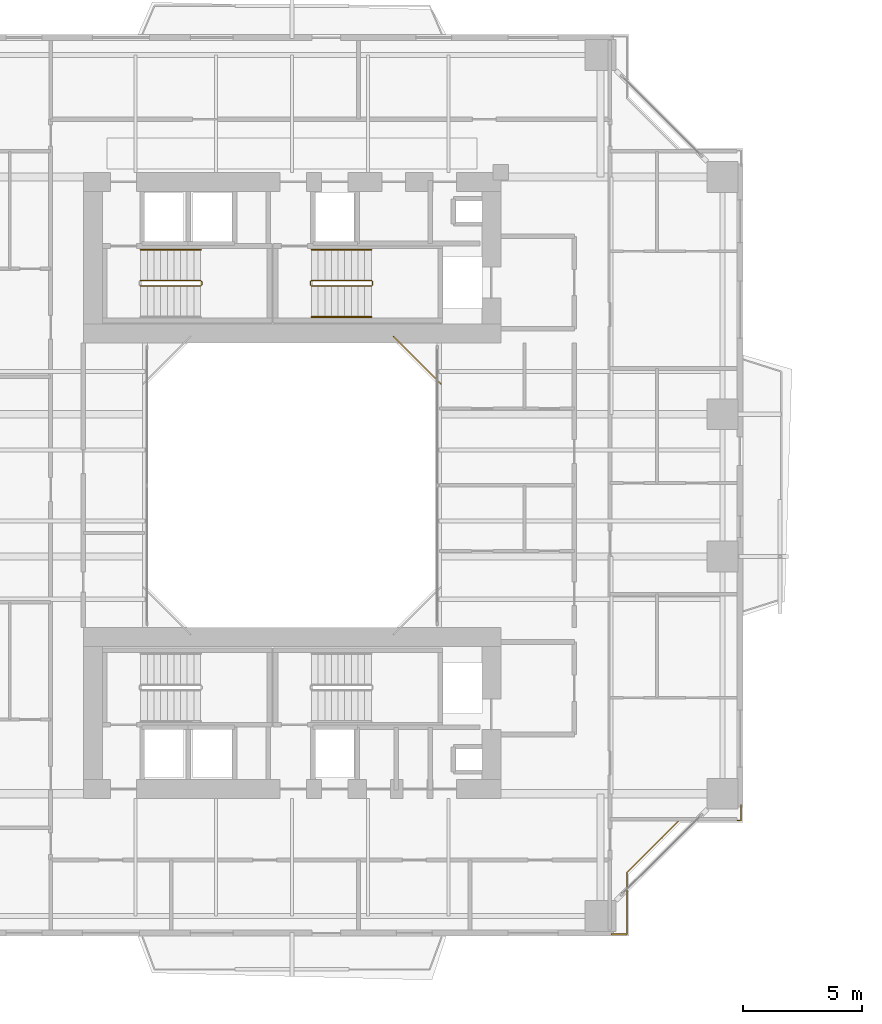
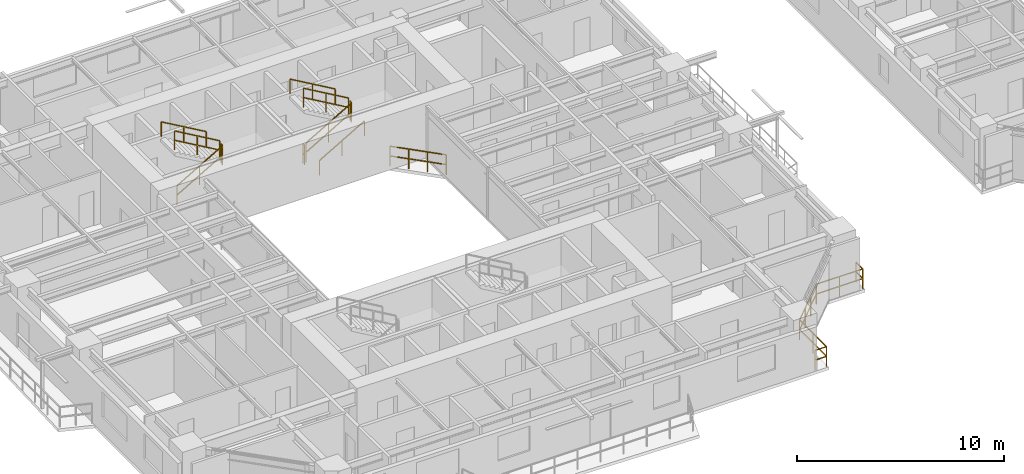
# One storey, part 21 of 24: 12 railings.
"""IFC4 building model written with IfcOpenShell, lengths in metres."""

from ifc_helpers import new_model, si_unit, direction, frame, origin, origin_2d, place, context, subcontext, project, spatial, rectangle, extrude, material, type_object, element, save


model = new_model("IFC4")

# Units and contexts
model_context = context("Model", 3, precision=1e-05, world=origin(), true_north=direction((0.0, 1.0)))
body_context = subcontext(model_context, "Body", "Model", "MODEL_VIEW")
ifc_project = project(units=[si_unit("LENGTHUNIT", "METRE"), si_unit("AREAUNIT", "SQUARE_METRE"), si_unit("VOLUMEUNIT", "CUBIC_METRE"), si_unit("PLANEANGLEUNIT", "RADIAN"), si_unit("MASSUNIT", "GRAM", prefix="KILO"), si_unit("THERMODYNAMICTEMPERATUREUNIT", "KELVIN"), si_unit("POWERUNIT", "WATT")], contexts=[model_context])

# Site, building, storey
site_placement = place(None, origin())
site = spatial("IfcSite", under=ifc_project, at=site_placement, CompositionType="ELEMENT")
building_placement = place(site_placement, origin())
building = spatial("IfcBuilding", under=site, at=building_placement, Name="Qiaomeng Ring Towers", CompositionType="ELEMENT")
storey_placement = place(building_placement, frame((0.0, 0.0, 56.75)))
storey = spatial("IfcBuildingStorey", under=building, at=storey_placement, Name="L15", CompositionType="ELEMENT", Elevation=56.75)

# Railings
ifc_material_1 = material(Name="Low-E pale-green laminated safety glass", Category="glass")
railing_type_1 = type_object("IfcRailingType", Name="ARC-RL-BAL1", PredefinedType="BALUSTRADE", material=ifc_material_1)
railing_1_placement = place(storey_placement, frame((25.280029296875, 27.280029296875, 0.0)))
element("IfcRailing", 1, at=railing_1_placement, inside=storey, type_object=railing_type_1, Name="L15 Balustrade ARC-BAL-WELL1-L15-2", PredefinedType="BALUSTRADE", context=body_context, shape_type="SweptSolid", body=[
    extrude(rectangle(XDim=0.048095703125, YDim=0.048095703125, at=origin_2d()), frame((0.0, 0.0, 1.17578125), z_axis=(-0.707106781187, 0.707106781187, 0.0), x_axis=(-0.707106781187, -0.707106781187, 0.0)), (0.0, 0.0, 1.0), 2.828369140625),
    extrude(rectangle(XDim=0.048095703125, YDim=0.048095703125, at=origin_2d()), frame((0.0, 0.0, 0.60009765625), z_axis=(-0.707106781187, 0.707106781187, 0.0), x_axis=(-0.707106781187, -0.707106781187, 0.0)), (0.0, 0.0, 1.0), 2.828369140625),
    extrude(rectangle(XDim=0.0419921875, YDim=0.0419921875, at=origin_2d()), origin(), (0.0, 0.0, 1.0), 1.15185546875),
    extrude(rectangle(XDim=0.0419921875, YDim=0.0419921875, at=origin_2d()), frame((-0.666748046875, 0.666748046875, 0.0)), (0.0, 0.0, 1.0), 1.15185546875),
    extrude(rectangle(XDim=0.0419921875, YDim=0.0419921875, at=origin_2d()), frame((-1.333251953125, 1.333251953125, 0.0)), (0.0, 0.0, 1.0), 1.15185546875),
    extrude(rectangle(XDim=0.0419921875, YDim=0.0419921875, at=origin_2d()), frame((-2.0, 2.0, 0.0)), (0.0, 0.0, 1.0), 1.15185546875),
])
railing_2_placement = place(storey_placement, frame((32.469970703125, 4.080078125, 0.0)))
element("IfcRailing", 2, at=railing_2_placement, inside=storey, type_object=railing_type_1, Name="L15 Balustrade ARC-BAL-NOTCH1-L15-SE", PredefinedType="BALUSTRADE", context=body_context, shape_type="SweptSolid", body=[
    extrude(rectangle(XDim=0.048095703125, YDim=0.048095703125, at=origin_2d()), frame((0.0, 0.0, 1.17578125), z_axis=(1.0, 0.0, 0.0), x_axis=(0.0, 1.0, 0.0)), (0.0, 0.0, 1.0), 0.650146484375),
    extrude(rectangle(XDim=0.048095703125, YDim=0.048095703125, at=origin_2d()), frame((0.0, 0.0, 0.60009765625), z_axis=(1.0, 0.0, 0.0), x_axis=(0.0, 1.0, 0.0)), (0.0, 0.0, 1.0), 0.650146484375),
    extrude(rectangle(XDim=0.048095703125, YDim=0.048095703125, at=origin_2d()), frame((0.650146484375, 0.0, 1.17578125), z_axis=(0.0, 1.0, 0.0), x_axis=(-1.0, 0.0, 0.0)), (0.0, 0.0, 1.0), 2.599853515625),
    extrude(rectangle(XDim=0.048095703125, YDim=0.048095703125, at=origin_2d()), frame((0.650146484375, 0.0, 0.60009765625), z_axis=(0.0, 1.0, 0.0), x_axis=(-1.0, 0.0, 0.0)), (0.0, 0.0, 1.0), 2.599853515625),
    extrude(rectangle(XDim=0.048095703125, YDim=0.048095703125, at=origin_2d()), frame((0.650146484375, 2.599853515625, 1.17578125), z_axis=(0.707106781187, 0.707106781187, 0.0), x_axis=(-0.707106781187, 0.707106781187, 0.0)), (0.0, 0.0, 1.0), 3.111083984375),
    extrude(rectangle(XDim=0.048095703125, YDim=0.048095703125, at=origin_2d()), frame((0.650146484375, 2.599853515625, 0.60009765625), z_axis=(0.707106781187, 0.707106781187, 0.0), x_axis=(-0.707106781187, 0.707106781187, 0.0)), (0.0, 0.0, 1.0), 3.111083984375),
    extrude(rectangle(XDim=0.048095703125, YDim=0.048095703125, at=origin_2d()), frame((2.85009765625, 4.7998046875, 1.17578125), z_axis=(1.0, 0.0, 0.0), x_axis=(0.0, 1.0, 0.0)), (0.0, 0.0, 1.0), 2.599853515625),
    extrude(rectangle(XDim=0.048095703125, YDim=0.048095703125, at=origin_2d()), frame((2.85009765625, 4.7998046875, 0.60009765625), z_axis=(1.0, 0.0, 0.0), x_axis=(0.0, 1.0, 0.0)), (0.0, 0.0, 1.0), 2.599853515625),
    extrude(rectangle(XDim=0.048095703125, YDim=0.048095703125, at=origin_2d()), frame((5.449951171875, 4.7998046875, 1.17578125), z_axis=(0.0, 1.0, 0.0), x_axis=(-1.0, 0.0, 0.0)), (0.0, 0.0, 1.0), 0.650146484375),
    extrude(rectangle(XDim=0.048095703125, YDim=0.048095703125, at=origin_2d()), frame((5.449951171875, 4.7998046875, 0.60009765625), z_axis=(0.0, 1.0, 0.0), x_axis=(-1.0, 0.0, 0.0)), (0.0, 0.0, 1.0), 0.650146484375),
    extrude(rectangle(XDim=0.0419921875, YDim=0.0419921875, at=origin_2d()), origin(), (0.0, 0.0, 1.0), 1.15185546875),
    extrude(rectangle(XDim=0.0419921875, YDim=0.0419921875, at=origin_2d()), frame((0.650146484375, 0.0, 0.0)), (0.0, 0.0, 1.0), 1.15185546875),
    extrude(rectangle(XDim=0.0419921875, YDim=0.0419921875, at=origin_2d()), frame((0.650146484375, 1.2998046875, 0.0)), (0.0, 0.0, 1.0), 1.15185546875),
    extrude(rectangle(XDim=0.0419921875, YDim=0.0419921875, at=origin_2d()), frame((0.650146484375, 2.599853515625, 0.0)), (0.0, 0.0, 1.0), 1.15185546875),
    extrude(rectangle(XDim=0.0419921875, YDim=0.0419921875, at=origin_2d()), frame((1.383544921875, 3.333251953125, 0.0)), (0.0, 0.0, 1.0), 1.15185546875),
    extrude(rectangle(XDim=0.0419921875, YDim=0.0419921875, at=origin_2d()), frame((2.11669921875, 4.06640625, 0.0)), (0.0, 0.0, 1.0), 1.15185546875),
    extrude(rectangle(XDim=0.0419921875, YDim=0.0419921875, at=origin_2d()), frame((2.85009765625, 4.7998046875, 0.0)), (0.0, 0.0, 1.0), 1.15185546875),
    extrude(rectangle(XDim=0.0419921875, YDim=0.0419921875, at=origin_2d()), frame((4.14990234375, 4.7998046875, 0.0)), (0.0, 0.0, 1.0), 1.15185546875),
    extrude(rectangle(XDim=0.0419921875, YDim=0.0419921875, at=origin_2d()), frame((5.449951171875, 4.7998046875, 0.0)), (0.0, 0.0, 1.0), 1.15185546875),
    extrude(rectangle(XDim=0.0419921875, YDim=0.0419921875, at=origin_2d()), frame((5.449951171875, 5.449951171875, 0.0)), (0.0, 0.0, 1.0), 1.15185546875),
])
ifc_material_2 = material(Name="Galvanised steel", Category="steel")
railing_type_2 = type_object("IfcRailingType", Name="ARC-RL-GUARD", PredefinedType="GUARDRAIL", material=ifc_material_2)
railing_3_placement = place(storey_placement, frame((12.6201171875, 31.39990234375, 0.16259765625)))
element("IfcRailing", 3, at=railing_3_placement, inside=storey, type_object=railing_type_2, Name="L15 ST1 stair guard 1", PredefinedType="GUARDRAIL", context=body_context, shape_type="SweptSolid", body=[
    extrude(rectangle(XDim=0.048095703125, YDim=0.048095703125, at=origin_2d()), frame((0.0, 0.0, 1.1259765625), z_axis=(0.864892226395, 0.0, 0.501957604506), x_axis=(0.0, 1.0, 0.0)), (0.0, 0.0, 1.0), 2.913330078125),
    extrude(rectangle(XDim=0.048095703125, YDim=0.048095703125, at=origin_2d()), frame((0.0, 0.0, 0.574951171875), z_axis=(0.864892226395, 0.0, 0.501957604506), x_axis=(0.0, 1.0, 0.0)), (0.0, 0.0, 1.0), 2.913330078125),
    extrude(rectangle(XDim=0.0419921875, YDim=0.0419921875, at=origin_2d()), origin(), (0.0, 0.0, 1.0), 1.101806640625),
    extrude(rectangle(XDim=0.0419921875, YDim=0.0419921875, at=origin_2d()), frame((1.259765625, 0.0, 0.731201171875)), (0.0, 0.0, 1.0), 1.101806640625),
    extrude(rectangle(XDim=0.0419921875, YDim=0.0419921875, at=origin_2d()), frame((2.519775390625, 0.0, 1.46240234375)), (0.0, 0.0, 1.0), 1.101806640625),
])
railing_4_placement = place(storey_placement, frame((15.18994140625, 31.449951171875, 1.625)))
element("IfcRailing", 4, at=railing_4_placement, inside=storey, type_object=railing_type_2, Name="L15 ST1 stair guard 2", PredefinedType="GUARDRAIL", context=body_context, shape_type="SweptSolid", body=[
    extrude(rectangle(XDim=0.048095703125, YDim=0.048095703125, at=origin_2d()), frame((0.0, 0.0, 1.1259765625), z_axis=(0.0, 1.0, 0.0), x_axis=(-1.0, 0.0, 0.0)), (0.0, 0.0, 1.0), 0.14013671875),
    extrude(rectangle(XDim=0.048095703125, YDim=0.048095703125, at=origin_2d()), frame((0.0, 0.0, 0.574951171875), z_axis=(0.0, 1.0, 0.0), x_axis=(-1.0, 0.0, 0.0)), (0.0, 0.0, 1.0), 0.14013671875),
    extrude(rectangle(XDim=0.0419921875, YDim=0.0419921875, at=origin_2d()), origin(), (0.0, 0.0, 1.0), 1.101806640625),
    extrude(rectangle(XDim=0.0419921875, YDim=0.0419921875, at=origin_2d()), frame((0.0, 0.14013671875, 0.0)), (0.0, 0.0, 1.0), 1.101806640625),
])
railing_5_placement = place(storey_placement, frame((15.139892578125, 31.639892578125, 1.78759765625)))
element("IfcRailing", 5, at=railing_5_placement, inside=storey, type_object=railing_type_2, Name="L15 ST1 stair guard 3", PredefinedType="GUARDRAIL", context=body_context, shape_type="SweptSolid", body=[
    extrude(rectangle(XDim=0.048095703125, YDim=0.048095703125, at=origin_2d()), frame((0.0, 0.0, 1.1259765625), z_axis=(-0.864892226395, 0.0, 0.501957604506), x_axis=(0.0, -1.0, 0.0)), (0.0, 0.0, 1.0), 2.913330078125),
    extrude(rectangle(XDim=0.048095703125, YDim=0.048095703125, at=origin_2d()), frame((0.0, 0.0, 0.574951171875), z_axis=(-0.864892226395, 0.0, 0.501957604506), x_axis=(0.0, -1.0, 0.0)), (0.0, 0.0, 1.0), 2.913330078125),
    extrude(rectangle(XDim=0.0419921875, YDim=0.0419921875, at=origin_2d()), origin(), (0.0, 0.0, 1.0), 1.101806640625),
    extrude(rectangle(XDim=0.0419921875, YDim=0.0419921875, at=origin_2d()), frame((-1.259765625, 0.0, 0.731201171875)), (0.0, 0.0, 1.0), 1.101806640625),
    extrude(rectangle(XDim=0.0419921875, YDim=0.0419921875, at=origin_2d()), frame((-2.519775390625, 0.0, 1.46240234375)), (0.0, 0.0, 1.0), 1.101806640625),
])
railing_6_placement = place(storey_placement, frame((19.820068359375, 31.39990234375, 0.16259765625)))
element("IfcRailing", 6, at=railing_6_placement, inside=storey, type_object=railing_type_2, Name="L15 ST2 stair guard 1", PredefinedType="GUARDRAIL", context=body_context, shape_type="SweptSolid", body=[
    extrude(rectangle(XDim=0.048095703125, YDim=0.048095703125, at=origin_2d()), frame((0.0, 0.0, 1.1259765625), z_axis=(0.864913338283, 0.0, 0.50192122615), x_axis=(0.0, 1.0, 0.0)), (0.0, 0.0, 1.0), 2.91357421875),
    extrude(rectangle(XDim=0.048095703125, YDim=0.048095703125, at=origin_2d()), frame((0.0, 0.0, 0.574951171875), z_axis=(0.864913338283, 0.0, 0.50192122615), x_axis=(0.0, 1.0, 0.0)), (0.0, 0.0, 1.0), 2.91357421875),
    extrude(rectangle(XDim=0.0419921875, YDim=0.0419921875, at=origin_2d()), origin(), (0.0, 0.0, 1.0), 1.101806640625),
    extrude(rectangle(XDim=0.0419921875, YDim=0.0419921875, at=origin_2d()), frame((1.260009765625, 0.0, 0.731201171875)), (0.0, 0.0, 1.0), 1.101806640625),
    extrude(rectangle(XDim=0.0419921875, YDim=0.0419921875, at=origin_2d()), frame((2.52001953125, 0.0, 1.46240234375)), (0.0, 0.0, 1.0), 1.101806640625),
])
railing_7_placement = place(storey_placement, frame((22.389892578125, 31.449951171875, 1.625)))
element("IfcRailing", 7, at=railing_7_placement, inside=storey, type_object=railing_type_2, Name="L15 ST2 stair guard 2", PredefinedType="GUARDRAIL", context=body_context, shape_type="SweptSolid", body=[
    extrude(rectangle(XDim=0.048095703125, YDim=0.048095703125, at=origin_2d()), frame((0.0, 0.0, 1.1259765625), z_axis=(0.0, 1.0, 0.0), x_axis=(-1.0, 0.0, 0.0)), (0.0, 0.0, 1.0), 0.14013671875),
    extrude(rectangle(XDim=0.048095703125, YDim=0.048095703125, at=origin_2d()), frame((0.0, 0.0, 0.574951171875), z_axis=(0.0, 1.0, 0.0), x_axis=(-1.0, 0.0, 0.0)), (0.0, 0.0, 1.0), 0.14013671875),
    extrude(rectangle(XDim=0.0419921875, YDim=0.0419921875, at=origin_2d()), origin(), (0.0, 0.0, 1.0), 1.101806640625),
    extrude(rectangle(XDim=0.0419921875, YDim=0.0419921875, at=origin_2d()), frame((0.0, 0.14013671875, 0.0)), (0.0, 0.0, 1.0), 1.101806640625),
])
railing_8_placement = place(storey_placement, frame((22.340087890625, 31.639892578125, 1.78759765625)))
element("IfcRailing", 8, at=railing_8_placement, inside=storey, type_object=railing_type_2, Name="L15 ST2 stair guard 3", PredefinedType="GUARDRAIL", context=body_context, shape_type="SweptSolid", body=[
    extrude(rectangle(XDim=0.048095703125, YDim=0.048095703125, at=origin_2d()), frame((0.0, 0.0, 1.1259765625), z_axis=(-0.864913338283, 0.0, 0.50192122615), x_axis=(0.0, -1.0, 0.0)), (0.0, 0.0, 1.0), 2.91357421875),
    extrude(rectangle(XDim=0.048095703125, YDim=0.048095703125, at=origin_2d()), frame((0.0, 0.0, 0.574951171875), z_axis=(-0.864913338283, 0.0, 0.50192122615), x_axis=(0.0, -1.0, 0.0)), (0.0, 0.0, 1.0), 2.91357421875),
    extrude(rectangle(XDim=0.0419921875, YDim=0.0419921875, at=origin_2d()), origin(), (0.0, 0.0, 1.0), 1.101806640625),
    extrude(rectangle(XDim=0.0419921875, YDim=0.0419921875, at=origin_2d()), frame((-1.260009765625, 0.0, 0.731201171875)), (0.0, 0.0, 1.0), 1.101806640625),
    extrude(rectangle(XDim=0.0419921875, YDim=0.0419921875, at=origin_2d()), frame((-2.52001953125, 0.0, 1.46240234375)), (0.0, 0.0, 1.0), 1.101806640625),
])
railing_9_placement = place(storey_placement, frame((19.77001953125, 31.449951171875, 0.0)))
element("IfcRailing", 9, at=railing_9_placement, inside=storey, type_object=railing_type_2, Name="L15 ST2 stair guard 4", PredefinedType="GUARDRAIL", context=body_context, shape_type="SweptSolid", body=[
    extrude(rectangle(XDim=0.048095703125, YDim=0.048095703125, at=origin_2d()), frame((0.0, 0.0, 1.1259765625), z_axis=(0.0, 1.0, 0.0), x_axis=(-1.0, 0.0, 0.0)), (0.0, 0.0, 1.0), 0.14013671875),
    extrude(rectangle(XDim=0.048095703125, YDim=0.048095703125, at=origin_2d()), frame((0.0, 0.0, 0.574951171875), z_axis=(0.0, 1.0, 0.0), x_axis=(-1.0, 0.0, 0.0)), (0.0, 0.0, 1.0), 0.14013671875),
    extrude(rectangle(XDim=0.0419921875, YDim=0.0419921875, at=origin_2d()), origin(), (0.0, 0.0, 1.0), 1.101806640625),
    extrude(rectangle(XDim=0.0419921875, YDim=0.0419921875, at=origin_2d()), frame((0.0, 0.14013671875, 0.0)), (0.0, 0.0, 1.0), 1.101806640625),
])
ifc_material_3 = material(Name="Stainless steel 316", Category="steel")
railing_type_3 = type_object("IfcRailingType", Name="ARC-RL-HAND", PredefinedType="HANDRAIL", material=ifc_material_3)
railing_10_placement = place(storey_placement, frame((15.139892578125, 32.93994140625, 1.78759765625)))
element("IfcRailing", 10, at=railing_10_placement, inside=storey, type_object=railing_type_3, Name="L15 ST1 stair handrail 2", PredefinedType="HANDRAIL", context=body_context, shape_type="SweptSolid", body=[
    extrude(rectangle(XDim=0.048095703125, YDim=0.048095703125, at=origin_2d()), frame((0.0, 0.0, 0.8759765625), z_axis=(-0.864892226395, 0.0, 0.501957604506), x_axis=(0.0, -1.0, 0.0)), (0.0, 0.0, 1.0), 2.913330078125),
    extrude(rectangle(XDim=0.0419921875, YDim=0.0419921875, at=origin_2d()), origin(), (0.0, 0.0, 1.0), 0.851806640625),
    extrude(rectangle(XDim=0.0419921875, YDim=0.0419921875, at=origin_2d()), frame((-1.259765625, 0.0, 0.731201171875)), (0.0, 0.0, 1.0), 0.851806640625),
    extrude(rectangle(XDim=0.0419921875, YDim=0.0419921875, at=origin_2d()), frame((-2.519775390625, 0.0, 1.46240234375)), (0.0, 0.0, 1.0), 0.851806640625),
])
railing_11_placement = place(storey_placement, frame((19.820068359375, 30.10009765625, 0.16259765625)))
element("IfcRailing", 11, at=railing_11_placement, inside=storey, type_object=railing_type_3, Name="L15 ST2 stair handrail 1", PredefinedType="HANDRAIL", context=body_context, shape_type="SweptSolid", body=[
    extrude(rectangle(XDim=0.048095703125, YDim=0.048095703125, at=origin_2d()), frame((0.0, 0.0, 0.8759765625), z_axis=(0.864913338283, 0.0, 0.50192122615), x_axis=(0.0, 1.0, 0.0)), (0.0, 0.0, 1.0), 2.91357421875),
    extrude(rectangle(XDim=0.0419921875, YDim=0.0419921875, at=origin_2d()), origin(), (0.0, 0.0, 1.0), 0.851806640625),
    extrude(rectangle(XDim=0.0419921875, YDim=0.0419921875, at=origin_2d()), frame((1.260009765625, 0.0, 0.731201171875)), (0.0, 0.0, 1.0), 0.851806640625),
    extrude(rectangle(XDim=0.0419921875, YDim=0.0419921875, at=origin_2d()), frame((2.52001953125, 0.0, 1.46240234375)), (0.0, 0.0, 1.0), 0.851806640625),
])
railing_12_placement = place(storey_placement, frame((22.340087890625, 32.93994140625, 1.78759765625)))
element("IfcRailing", 12, at=railing_12_placement, inside=storey, type_object=railing_type_3, Name="L15 ST2 stair handrail 2", PredefinedType="HANDRAIL", context=body_context, shape_type="SweptSolid", body=[
    extrude(rectangle(XDim=0.048095703125, YDim=0.048095703125, at=origin_2d()), frame((0.0, 0.0, 0.8759765625), z_axis=(-0.864913338283, 0.0, 0.50192122615), x_axis=(0.0, -1.0, 0.0)), (0.0, 0.0, 1.0), 2.91357421875),
    extrude(rectangle(XDim=0.0419921875, YDim=0.0419921875, at=origin_2d()), origin(), (0.0, 0.0, 1.0), 0.851806640625),
    extrude(rectangle(XDim=0.0419921875, YDim=0.0419921875, at=origin_2d()), frame((-1.260009765625, 0.0, 0.731201171875)), (0.0, 0.0, 1.0), 0.851806640625),
    extrude(rectangle(XDim=0.0419921875, YDim=0.0419921875, at=origin_2d()), frame((-2.52001953125, 0.0, 1.46240234375)), (0.0, 0.0, 1.0), 0.851806640625),
])

save(model, "model.ifc")
